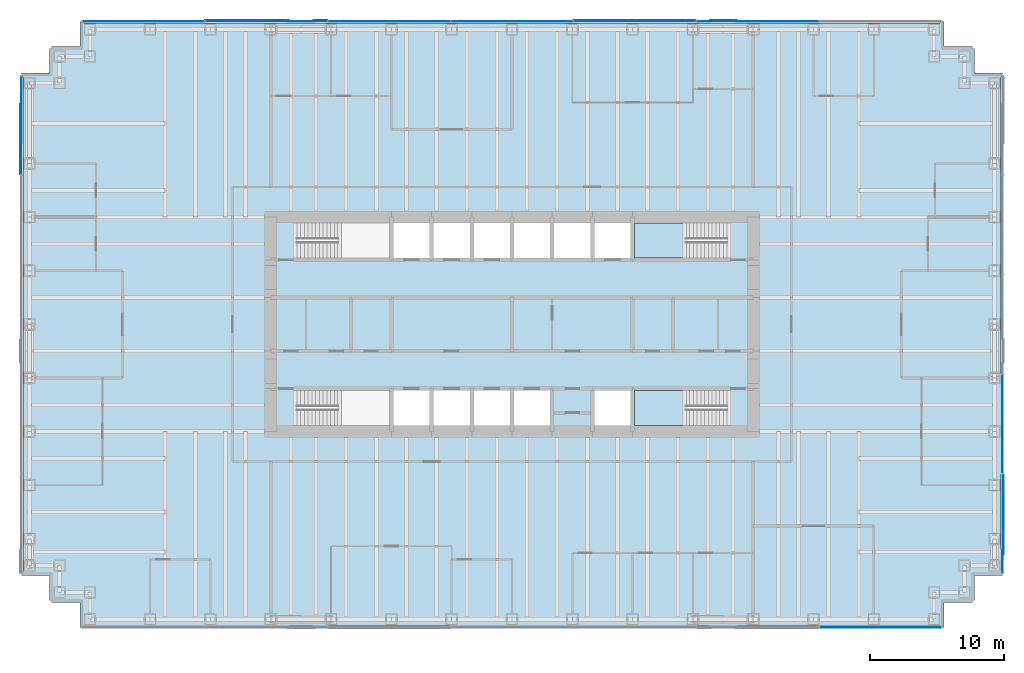
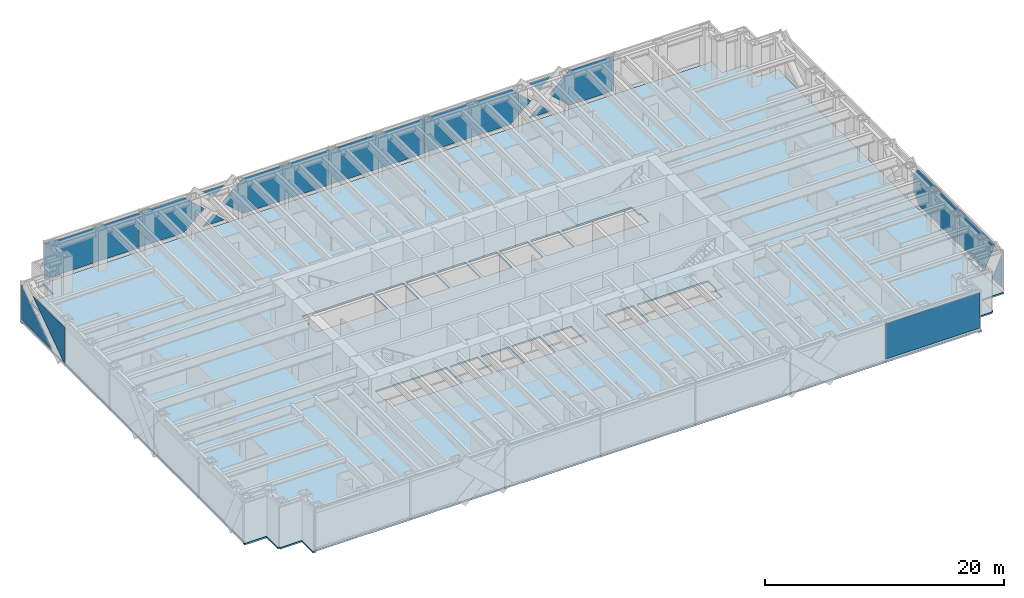
# One storey, part 11 of 17: 18 plates, 3 slabs, 6 elements without a shape of their own.
"""IFC4 building model written with IfcOpenShell, lengths in metres."""

from ifc_helpers import new_model, si_unit, direction, frame, origin, origin_2d, place, context, subcontext, project, spatial, polyline, rectangle, outline, extrude, material, layer, layer_set, type_object, element, aggregate, save


model = new_model("IFC4")

# Units and contexts
model_context = context("Model", 3, precision=1e-05, world=origin(), true_north=direction((0.0, 1.0)))
body_context = subcontext(model_context, "Body", "Model", "MODEL_VIEW")
ifc_project = project(units=[si_unit("LENGTHUNIT", "METRE"), si_unit("AREAUNIT", "SQUARE_METRE"), si_unit("VOLUMEUNIT", "CUBIC_METRE"), si_unit("PLANEANGLEUNIT", "RADIAN"), si_unit("MASSUNIT", "GRAM", prefix="KILO")], contexts=[model_context])

# Site, building, storey
site_placement = place(None, origin())
site = spatial("IfcSite", under=ifc_project, at=site_placement, CompositionType="ELEMENT")
building_placement = place(site_placement, origin())
building = spatial("IfcBuilding", under=site, at=building_placement, Name="Rheinbord Bourse Tower", CompositionType="ELEMENT")
storey_placement = place(building_placement, frame((0.0, 0.0, 138.300048828125)))
storey = spatial("IfcBuildingStorey", under=building, at=storey_placement, Name="L30", CompositionType="ELEMENT", Elevation=138.300048828125)

# Slab
ifc_material_1 = material(Name="Concrete C30/37", Category="concrete")
ifc_layer_1 = layer(ifc_material_1, 0.159912109375)
ifc_layer_set_1 = layer_set([ifc_layer_1], Name="COMPOSITE FLOOR SLAB 160")
slab_type_1 = type_object("IfcSlabType", Name="COMPOSITE FLOOR SLAB 160", PredefinedType="FLOOR", material=ifc_layer_set_1)
slab_1_placement = place(storey_placement, frame((0.0, 0.0, -0.16015625)))
element("IfcSlab", 1, at=slab_1_placement, inside=storey, type_object=slab_type_1, Name="Floor slab L30", PredefinedType="FLOOR", context=body_context, shape_type="SweptSolid", body=[
    extrude(outline(polyline([(1.64990234375, 3.39990234375), (1.5, 3.39990234375), (1.5, 5.25), (-0.60009765625, 5.25), (-0.60009765625, 5.550048828125), (-0.5, 5.550048828125), (-0.5, 42.449951171875), (-0.60009765625, 42.449951171875), (-0.60009765625, 42.75), (1.5, 42.75), (1.5, 44.60009765625), (1.64990234375, 44.60009765625), (1.64990234375, 44.75), (3.75, 44.75), (3.75, 46.60009765625), (4.050048828125, 46.60009765625), (4.050048828125, 46.5), (67.949951171875, 46.5), (67.949951171875, 46.60009765625), (68.25, 46.60009765625), (68.25, 44.75), (70.35009765625, 44.75), (70.35009765625, 44.60009765625), (70.5, 44.60009765625), (70.5, 42.75), (72.60009765625, 42.75), (72.60009765625, 42.449951171875), (72.5, 42.449951171875), (72.5, 5.550048828125), (72.60009765625, 5.550048828125), (72.60009765625, 5.25), (70.5, 5.25), (70.5, 3.39990234375), (70.35009765625, 3.39990234375), (70.35009765625, 3.25), (68.25, 3.25), (68.25, 1.39990234375), (67.949951171875, 1.39990234375), (67.949951171875, 1.5), (4.050048828125, 1.5), (4.050048828125, 1.39990234375), (3.75, 1.39990234375), (3.75, 3.25), (1.64990234375, 3.25), (1.64990234375, 3.39990234375)]), holes=[polyline([(19.949951171875, 19.050048828125), (26.85009765625, 19.050048828125), (26.85009765625, 16.449951171875), (20.10009765625, 16.449951171875), (20.10009765625, 17.64990234375), (19.949951171875, 17.64990234375), (19.949951171875, 19.050048828125)]), polyline([(26.85009765625, 31.550048828125), (26.85009765625, 28.949951171875), (19.949951171875, 28.949951171875), (19.949951171875, 30.35009765625), (20.10009765625, 30.35009765625), (20.10009765625, 31.550048828125), (26.85009765625, 31.550048828125)]), polyline([(45.14990234375, 16.449951171875), (45.14990234375, 19.050048828125), (52.050048828125, 19.050048828125), (52.050048828125, 17.64990234375), (51.89990234375, 17.64990234375), (51.89990234375, 16.449951171875), (45.14990234375, 16.449951171875)]), polyline([(52.050048828125, 28.949951171875), (45.14990234375, 28.949951171875), (45.14990234375, 31.550048828125), (51.89990234375, 31.550048828125), (51.89990234375, 30.35009765625), (52.050048828125, 30.35009765625), (52.050048828125, 28.949951171875)]), polyline([(27.14990234375, 16.449951171875), (27.14990234375, 19.050048828125), (29.85009765625, 19.050048828125), (29.85009765625, 16.449951171875), (27.14990234375, 16.449951171875)]), polyline([(27.14990234375, 28.949951171875), (27.14990234375, 31.550048828125), (29.85009765625, 31.550048828125), (29.85009765625, 28.949951171875), (27.14990234375, 28.949951171875)]), polyline([(30.14990234375, 16.449951171875), (30.14990234375, 19.050048828125), (32.85009765625, 19.050048828125), (32.85009765625, 16.449951171875), (30.14990234375, 16.449951171875)]), polyline([(30.14990234375, 28.949951171875), (30.14990234375, 31.550048828125), (32.85009765625, 31.550048828125), (32.85009765625, 28.949951171875), (30.14990234375, 28.949951171875)]), polyline([(33.14990234375, 16.449951171875), (33.14990234375, 19.050048828125), (35.85009765625, 19.050048828125), (35.85009765625, 16.449951171875), (33.14990234375, 16.449951171875)]), polyline([(33.14990234375, 28.949951171875), (33.14990234375, 31.550048828125), (35.85009765625, 31.550048828125), (35.85009765625, 28.949951171875), (33.14990234375, 28.949951171875)]), polyline([(36.14990234375, 16.449951171875), (36.14990234375, 19.050048828125), (38.85009765625, 19.050048828125), (38.85009765625, 16.449951171875), (36.14990234375, 16.449951171875)]), polyline([(36.14990234375, 28.949951171875), (36.14990234375, 31.550048828125), (38.85009765625, 31.550048828125), (38.85009765625, 28.949951171875), (36.14990234375, 28.949951171875)]), polyline([(39.14990234375, 28.949951171875), (39.14990234375, 31.550048828125), (41.85009765625, 31.550048828125), (41.85009765625, 28.949951171875), (39.14990234375, 28.949951171875)]), polyline([(42.14990234375, 16.449951171875), (42.14990234375, 19.050048828125), (44.85009765625, 19.050048828125), (44.85009765625, 16.449951171875), (42.14990234375, 16.449951171875)]), polyline([(42.14990234375, 28.949951171875), (42.14990234375, 31.550048828125), (44.85009765625, 31.550048828125), (44.85009765625, 28.949951171875), (42.14990234375, 28.949951171875)])]), origin(), (0.0, 0.0, 1.0), 0.16015625),
])

# Curtain wall, plate
ifc_material_2 = material(Name="Dark glass and black aluminium", Category="aluminium")
curtain_wall_type = type_object("IfcCurtainWallType", Name="CW2 DARK GLASS CURTAIN WALL", PredefinedType="USERDEFINED", material=ifc_material_2)
curtain_wall_1_placement = place(storey_placement, origin())
curtain_wall_1 = element("IfcCurtainWall", 2, at=curtain_wall_1_placement, inside=storey, type_object=curtain_wall_type, Name="Curtain wall CW2 S L30", ObjectType="UNITISED CURTAIN WALL", PredefinedType="USERDEFINED")
ifc_material_3 = material(Name="Dark tinted triple insulating glass", Category="glass")
ifc_layer_2 = layer(ifc_material_3, 0.050048828125)
ifc_layer_set_2 = layer_set([ifc_layer_2], Name="CW2 DARK GLASS PANEL")
plate_type = type_object("IfcPlateType", Name="CW2 DARK GLASS PANEL", PredefinedType="CURTAIN_PANEL", material=ifc_layer_set_2)
plate_1_placement = place(storey_placement, frame((63.496826171875, 1.39990234375, 0.2998046875), z_axis=(0.0, 0.0, 1.0), x_axis=(1.0, 0.0, 0.0)))
plate_1 = element("IfcPlate", 3, at=plate_1_placement, type_object=plate_type, Name="CW2 panel 7.1", PredefinedType="CURTAIN_PANEL", context=body_context, shape_type="SweptSolid", body=[
    extrude(rectangle(XDim=9.06640625, YDim=0.050048828125, at=origin_2d()), origin(), (0.0, 0.0, 1.0), 3.60009765625),
])
aggregate(curtain_wall_1, [plate_1])

# Curtain wall, plates
curtain_wall_2_placement = place(storey_placement, origin())
curtain_wall_2 = element("IfcCurtainWall", 4, at=curtain_wall_2_placement, inside=storey, type_object=curtain_wall_type, Name="Curtain wall CW2 E L30", ObjectType="UNITISED CURTAIN WALL", PredefinedType="USERDEFINED")
plate_2_placement = place(storey_placement, frame((72.625, 5.469970703125, 0.300048828125), z_axis=(-1.0, 0.0, 0.0), x_axis=(0.0, 0.0, 1.0)))
plate_2 = element("IfcPlate", 5, at=plate_2_placement, type_object=plate_type, Name="CW2 glass facet 1", PredefinedType="CURTAIN_PANEL", context=body_context, shape_type="SweptSolid", body=[
    extrude(outline(polyline([(0.0, 0.0), (3.599853515625, 0.0), (3.599853515625, 0.0029296875), (0.0, 1.717041015625), (0.0, 0.0)])), origin(), (0.0, 0.0, 1.0), 0.050048828125),
])
plate_3_placement = place(storey_placement, frame((72.68017578125, 12.804931640625, 3.89990234375), z_axis=(-1.0, 0.0, 0.0), x_axis=(0.0, 0.0, -1.0)))
plate_3 = element("IfcPlate", 6, at=plate_3_placement, type_object=plate_type, Name="CW2 glass facet 2", PredefinedType="CURTAIN_PANEL", context=body_context, shape_type="SweptSolid", body=[
    extrude(outline(polyline([(0.0, 0.0), (3.599853515625, 0.0), (3.599853515625, 4.27783203125), (0.0, 5.991943359375), (0.0, 0.0)])), origin(), (0.0, 0.0, 1.0), 0.050048828125),
])
plate_4_placement = place(storey_placement, frame((72.625, 12.875, 0.300048828125), z_axis=(-1.0, 0.0, 0.0), x_axis=(0.0, 0.0, 1.0)))
plate_4 = element("IfcPlate", 7, at=plate_4_placement, type_object=plate_type, Name="CW2 glass facet 1", PredefinedType="CURTAIN_PANEL", context=body_context, shape_type="SweptSolid", body=[
    extrude(outline(polyline([(0.0, 0.0), (3.599853515625, 0.0), (3.599853515625, 6.574951171875), (2.764892578125, 7.3701171875), (0.8349609375, 7.3701171875), (0.0, 6.574951171875), (0.0, 0.0)])), origin(), (0.0, 0.0, 1.0), 0.050048828125),
])
aggregate(curtain_wall_2, [plate_2, plate_3, plate_4])

curtain_wall_3_placement = place(storey_placement, origin())
curtain_wall_3 = element("IfcCurtainWall", 8, at=curtain_wall_3_placement, inside=storey, type_object=curtain_wall_type, Name="Curtain wall CW2 N L30", ObjectType="UNITISED CURTAIN WALL", PredefinedType="USERDEFINED")
plate_5_placement = place(storey_placement, frame((36.0, 46.60009765625, 0.2998046875), z_axis=(0.0, 0.0, 1.0), x_axis=(-1.0, 0.0, 0.0)))
plate_5 = element("IfcPlate", 9, at=plate_5_placement, type_object=plate_type, Name="CW2 panel 4.1", PredefinedType="CURTAIN_PANEL", context=body_context, shape_type="SweptSolid", body=[
    extrude(rectangle(XDim=9.101318359375, YDim=0.050048828125, at=origin_2d()), origin(), (0.0, 0.0, 1.0), 3.60009765625),
])
plate_6_placement = place(storey_placement, frame((8.503173828125, 46.60009765625, 0.2998046875), z_axis=(0.0, 0.0, 1.0), x_axis=(-1.0, 0.0, 0.0)))
plate_6 = element("IfcPlate", 10, at=plate_6_placement, type_object=plate_type, Name="CW2 panel 7.1", PredefinedType="CURTAIN_PANEL", context=body_context, shape_type="SweptSolid", body=[
    extrude(rectangle(XDim=9.06640625, YDim=0.050048828125, at=origin_2d()), origin(), (0.0, 0.0, 1.0), 3.60009765625),
])
plate_7_placement = place(storey_placement, frame((58.89404296875, 46.625, 0.300048828125), z_axis=(0.0, -1.0, 0.0), x_axis=(0.0, 0.0, 1.0)))
plate_7 = element("IfcPlate", 11, at=plate_7_placement, type_object=plate_type, Name="CW2 glass facet 1", PredefinedType="CURTAIN_PANEL", context=body_context, shape_type="SweptSolid", body=[
    extrude(outline(polyline([(0.0, 0.0), (3.599853515625, 0.0), (3.599853515625, 4.3291015625), (1.7998046875, 6.257080078125), (0.0, 4.3291015625), (0.0, 0.0)])), origin(), (0.0, 0.0, 1.0), 0.050048828125),
])
plate_8_placement = place(storey_placement, frame((52.7919921875, 46.68017578125, 0.300048828125), z_axis=(0.0, -1.0, 0.0), x_axis=(-0.731266046968, 0.0, 0.682092346059)))
plate_8 = element("IfcPlate", 12, at=plate_8_placement, type_object=plate_type, Name="CW2 glass facet 2", PredefinedType="CURTAIN_PANEL", context=body_context, shape_type="SweptSolid", body=[
    extrude(outline(polyline([(0.0, 0.0), (1.4248046875, 0.0), (1.52392578125, 1.42138671875), (0.0, 0.0)])), origin(), (0.0, 0.0, 1.0), 0.050048828125),
])
plate_9_placement = place(storey_placement, frame((50.7080078125, 46.68017578125, 3.89990234375), z_axis=(0.0, -1.0, 0.0), x_axis=(0.731266046968, 0.0, -0.682092346059)))
plate_9 = element("IfcPlate", 13, at=plate_9_placement, type_object=plate_type, Name="CW2 glass facet 3", PredefinedType="CURTAIN_PANEL", context=body_context, shape_type="SweptSolid", body=[
    extrude(outline(polyline([(0.0, 0.0), (1.4248046875, 0.0), (1.52392578125, 1.42138671875), (0.0, 0.0)])), origin(), (0.0, 0.0, 1.0), 0.050048828125),
])
plate_10_placement = place(storey_placement, frame((49.7919921875, 46.625, 1.099853515625), z_axis=(0.0, -1.0, 0.0), x_axis=(0.730933363576, 0.0, 0.682448839117)))
plate_10 = element("IfcPlate", 14, at=plate_10_placement, type_object=plate_type, Name="CW2 glass facet 4", PredefinedType="CURTAIN_PANEL", context=body_context, shape_type="SweptSolid", body=[
    extrude(outline(polyline([(0.0, 0.0), (1.46533203125, 0.0), (1.364990234375, 1.4619140625), (0.0, 0.0)])), origin(), (0.0, 0.0, 1.0), 0.050048828125),
])
plate_11_placement = place(storey_placement, frame((40.62109375, 46.68017578125, 3.89990234375), z_axis=(0.0, -1.0, 0.0), x_axis=(0.0, 0.0, -1.0)))
plate_11 = element("IfcPlate", 15, at=plate_11_placement, type_object=plate_type, Name="CW2 glass facet 1", PredefinedType="CURTAIN_PANEL", context=body_context, shape_type="SweptSolid", body=[
    extrude(outline(polyline([(0.0, 0.0), (3.599853515625, 0.0), (3.599853515625, 8.31396484375), (2.864990234375, 9.100830078125), (0.73486328125, 9.100830078125), (0.0, 8.31396484375), (0.0, 0.0)])), origin(), (0.0, 0.0, 1.0), 0.050048828125),
])
plate_12_placement = place(storey_placement, frame((31.37890625, 46.625, 0.300048828125), z_axis=(0.0, -1.0, 0.0), x_axis=(0.0, 0.0, 1.0)))
plate_12 = element("IfcPlate", 16, at=plate_12_placement, type_object=plate_type, Name="CW2 glass facet 1", PredefinedType="CURTAIN_PANEL", context=body_context, shape_type="SweptSolid", body=[
    extrude(outline(polyline([(0.0, 0.0), (3.599853515625, 0.0), (3.599853515625, 8.31396484375), (2.864990234375, 9.100830078125), (0.73486328125, 9.100830078125), (0.0, 8.31396484375), (0.0, 0.0)])), origin(), (0.0, 0.0, 1.0), 0.050048828125),
])
plate_13_placement = place(storey_placement, frame((22.2080078125, 46.68017578125, 3.099853515625), z_axis=(0.0, -1.0, 0.0), x_axis=(-0.730933363576, 0.0, -0.682448839117)))
plate_13 = element("IfcPlate", 17, at=plate_13_placement, type_object=plate_type, Name="CW2 glass facet 1", PredefinedType="CURTAIN_PANEL", context=body_context, shape_type="SweptSolid", body=[
    extrude(outline(polyline([(0.0, 0.0), (1.46533203125, 0.0), (1.364990234375, 1.4619140625), (0.0, 0.0)])), origin(), (0.0, 0.0, 1.0), 0.050048828125),
])
plate_14_placement = place(storey_placement, frame((21.2919921875, 46.625, 0.300048828125), z_axis=(0.0, -1.0, 0.0), x_axis=(-0.731266046968, 0.0, 0.682092346059)))
plate_14 = element("IfcPlate", 18, at=plate_14_placement, type_object=plate_type, Name="CW2 glass facet 2", PredefinedType="CURTAIN_PANEL", context=body_context, shape_type="SweptSolid", body=[
    extrude(outline(polyline([(0.0, 0.0), (1.4248046875, 0.0), (1.52392578125, 1.42138671875), (0.0, 0.0)])), origin(), (0.0, 0.0, 1.0), 0.050048828125),
])
plate_15_placement = place(storey_placement, frame((19.2080078125, 46.625, 3.89990234375), z_axis=(0.0, -1.0, 0.0), x_axis=(0.731266046968, 0.0, -0.682092346059)))
plate_15 = element("IfcPlate", 19, at=plate_15_placement, type_object=plate_type, Name="CW2 glass facet 3", PredefinedType="CURTAIN_PANEL", context=body_context, shape_type="SweptSolid", body=[
    extrude(outline(polyline([(0.0, 0.0), (1.4248046875, 0.0), (1.52392578125, 1.42138671875), (0.0, 0.0)])), origin(), (0.0, 0.0, 1.0), 0.050048828125),
])
plate_16_placement = place(storey_placement, frame((13.10595703125, 46.68017578125, 3.89990234375), z_axis=(0.0, -1.0, 0.0), x_axis=(0.0, 0.0, -1.0)))
plate_16 = element("IfcPlate", 20, at=plate_16_placement, type_object=plate_type, Name="CW2 glass facet 4", PredefinedType="CURTAIN_PANEL", context=body_context, shape_type="SweptSolid", body=[
    extrude(outline(polyline([(0.0, 0.0), (3.599853515625, 0.0), (3.599853515625, 4.3291015625), (1.800048828125, 6.257080078125), (0.0, 4.3291015625), (0.0, 0.0)])), origin(), (0.0, 0.0, 1.0), 0.050048828125),
])
aggregate(curtain_wall_3, [plate_5, plate_6, plate_7, plate_8, plate_9, plate_10, plate_11, plate_12, plate_13, plate_14, plate_15, plate_16])

curtain_wall_4_placement = place(storey_placement, origin())
curtain_wall_4 = element("IfcCurtainWall", 21, at=curtain_wall_4_placement, inside=storey, type_object=curtain_wall_type, Name="Curtain wall CW2 W L30", ObjectType="UNITISED CURTAIN WALL", PredefinedType="USERDEFINED")
plate_17_placement = place(storey_placement, frame((-0.625, 42.530029296875, 0.300048828125), z_axis=(1.0, 0.0, 0.0), x_axis=(0.0, 0.0, 1.0)))
plate_17 = element("IfcPlate", 22, at=plate_17_placement, type_object=plate_type, Name="CW2 glass facet 1", PredefinedType="CURTAIN_PANEL", context=body_context, shape_type="SweptSolid", body=[
    extrude(outline(polyline([(0.0, 0.0), (3.532958984375, 0.0), (0.0, 5.046142578125), (0.0, 0.0)])), origin(), (0.0, 0.0, 1.0), 0.050048828125),
])
plate_18_placement = place(storey_placement, frame((-0.68017578125, 35.195068359375, 3.89990234375), z_axis=(1.0, 0.0, 0.0), x_axis=(0.0, 0.0, -1.0)))
plate_18 = element("IfcPlate", 23, at=plate_18_placement, type_object=plate_type, Name="CW2 glass facet 2", PredefinedType="CURTAIN_PANEL", context=body_context, shape_type="SweptSolid", body=[
    extrude(outline(polyline([(0.0, 0.0), (3.599853515625, 0.0), (3.599853515625, 0.178955078125), (0.0, 5.321044921875), (0.0, 0.0)])), origin(), (0.0, 0.0, 1.0), 0.050048828125),
])
aggregate(curtain_wall_4, [plate_17, plate_18])

# Stair, slab
ifc_material_4 = material(Name="Concrete C30/37", Category="concrete")
stair_type = type_object("IfcStairType", Name="CORE STAIR HALF TURN 4200", PredefinedType="HALF_TURN_STAIR", material=ifc_material_4)
stair_1_placement = place(storey_placement, origin())
stair_1 = element("IfcStair", 24, at=stair_1_placement, inside=storey, type_object=stair_type, Name="Stair ST3 L30, type CS6", PredefinedType="HALF_TURN_STAIR")
ifc_material_5 = material(Name="Concrete C30/37", Category="concrete")
ifc_layer_3 = layer(ifc_material_5, 0.199951171875)
ifc_layer_set_3 = layer_set([ifc_layer_3], Name="STAIR LANDING 200")
slab_type_2 = type_object("IfcSlabType", Name="STAIR LANDING 200", PredefinedType="LANDING", material=ifc_layer_set_3)
slab_2_placement = place(storey_placement, frame((0.0, 0.0, 1.89990234375)))
slab_2 = element("IfcSlab", 25, at=slab_2_placement, type_object=slab_type_2, Name="Half landing ST3 L30", PredefinedType="LANDING", context=body_context, shape_type="SweptSolid", body=[
    extrude(outline(polyline([(45.14990234375, 16.449951171875), (48.969970703125, 16.449951171875), (48.969970703125, 17.85009765625), (50.251953125, 17.85009765625), (50.251953125, 19.050048828125), (45.14990234375, 19.050048828125), (45.14990234375, 16.449951171875)])), origin(), (0.0, 0.0, 1.0), 0.199951171875),
])
aggregate(stair_1, [slab_2])

stair_2_placement = place(storey_placement, origin())
stair_2 = element("IfcStair", 26, at=stair_2_placement, inside=storey, type_object=stair_type, Name="Stair ST4 L30, type CS6", PredefinedType="HALF_TURN_STAIR")
slab_3_placement = place(storey_placement, frame((0.0, 0.0, 1.89990234375)))
slab_3 = element("IfcSlab", 27, at=slab_3_placement, type_object=slab_type_2, Name="Half landing ST4 L30", PredefinedType="LANDING", context=body_context, shape_type="SweptSolid", body=[
    extrude(outline(polyline([(45.14990234375, 28.949951171875), (50.251953125, 28.949951171875), (50.251953125, 30.14990234375), (48.969970703125, 30.14990234375), (48.969970703125, 31.550048828125), (45.14990234375, 31.550048828125), (45.14990234375, 28.949951171875)])), origin(), (0.0, 0.0, 1.0), 0.199951171875),
])
aggregate(stair_2, [slab_3])

save(model, "model.ifc")
